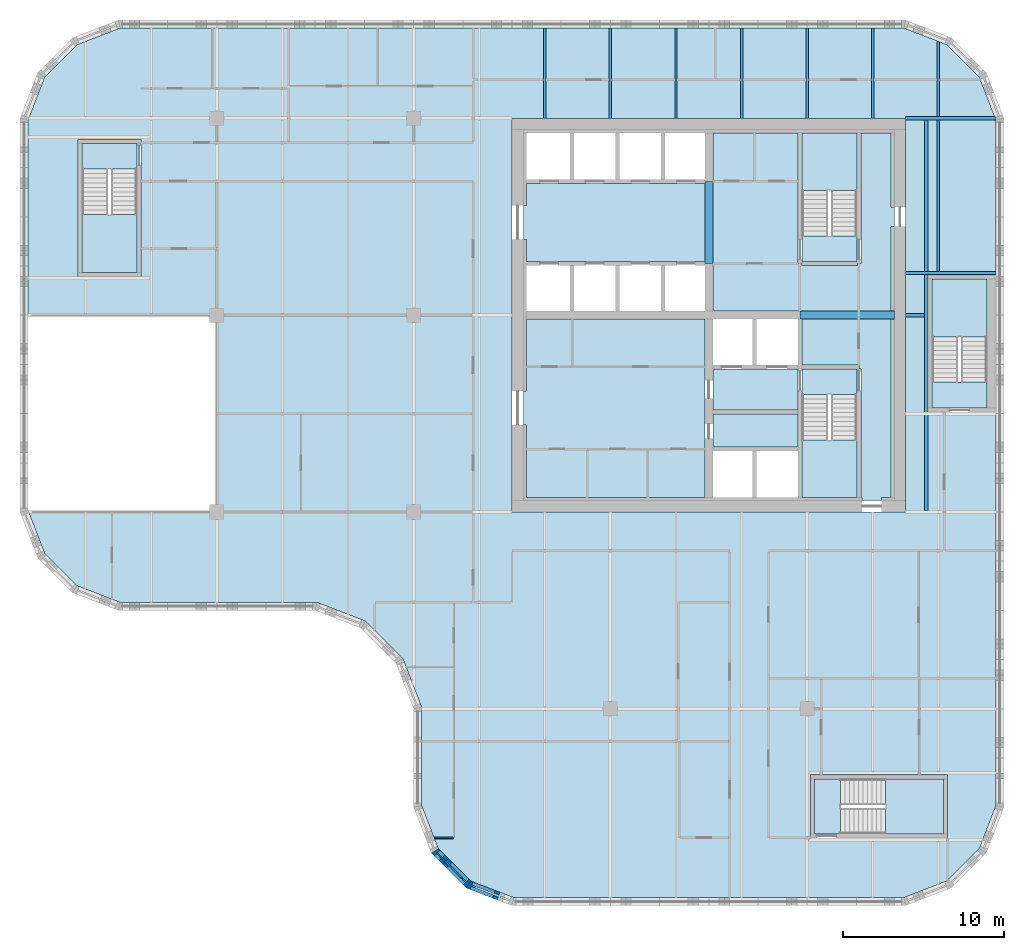
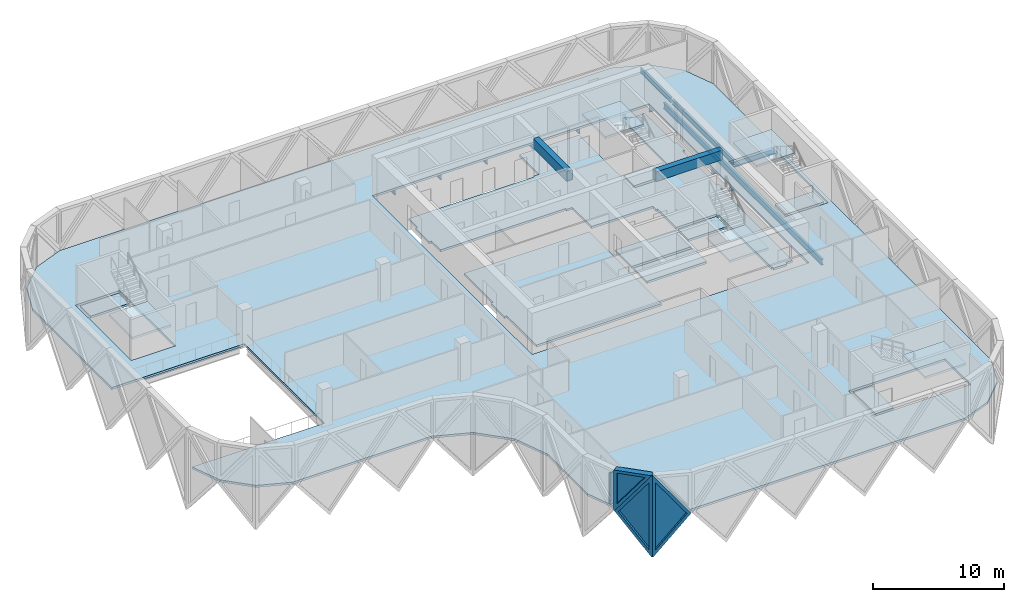
# One storey, part 2 of 15: 15 slabs, 14 beams, 4 walls, 3 plates, 3 openings, 5 elements without a shape of their own.
"""IFC4 building model written with IfcOpenShell, lengths in metres."""

from ifc_helpers import new_model, si_unit, direction, frame, frame_2d, origin, origin_2d, place, context, subcontext, project, spatial, polyline, rectangle, i_section, outline, extrude, faceted_brep, source, transform, mapped, material, layer, layer_set, material_profile, profile_set, type_object, element, fill, aggregate, save


model = new_model("IFC4")

# Units and contexts
model_context = context("Model", 3, precision=1e-05, world=origin(), true_north=direction((0.0, 1.0)))
body_context = subcontext(model_context, "Body", "Model", "MODEL_VIEW")
ifc_project = project(units=[si_unit("LENGTHUNIT", "METRE"), si_unit("AREAUNIT", "SQUARE_METRE"), si_unit("VOLUMEUNIT", "CUBIC_METRE"), si_unit("PLANEANGLEUNIT", "RADIAN"), si_unit("MASSUNIT", "GRAM", prefix="KILO")], contexts=[model_context])

# Site, building, storey
site_placement = place(None, origin())
site = spatial("IfcSite", under=ifc_project, at=site_placement, CompositionType="ELEMENT")
building_placement = place(site_placement, origin())
building = spatial("IfcBuilding", under=site, at=building_placement, Name="Tessera Gate Towers", CompositionType="ELEMENT")
storey_placement = place(building_placement, frame((0.0, 0.0, 146.800048828125)))
storey = spatial("IfcBuildingStorey", under=building, at=storey_placement, Name="L36", CompositionType="ELEMENT", Elevation=146.800048828125)

# Beams
ifc_material_1 = material(Name="Concrete C60/75", Category="concrete")
ifc_material_profile_1 = material_profile(ifc_material_1, rectangle(XDim=0.5, YDim=0.89990234375, at=origin_2d()), Name="RC 500x900")
ifc_profile_set_1 = profile_set([ifc_material_profile_1], Name="Concrete C60/75")
beam_type_1 = type_object("IfcBeamType", Name="COUPLING BEAM 500x900 C60/75", PredefinedType="BEAM", material=ifc_profile_set_1)
beam_1_placement = place(storey_placement, frame((48.35009765625, 36.60009765625, 3.050048828125), z_axis=(1.0, 0.0, 0.0), x_axis=(0.0, 1.0, 0.0)))
element("IfcBeam", 1, at=beam_1_placement, inside=storey, type_object=beam_type_1, Name="L36 coupling beam 1", PredefinedType="BEAM", context=body_context, shape_type="SweptSolid", body=[
    extrude(rectangle(XDim=0.5, YDim=0.89990234375, at=origin_2d()), origin(), (0.0, 0.0, 1.0), 5.849853515625),
])
beam_2_placement = place(storey_placement, frame((42.699951171875, 39.800048828125, 3.050048828125), z_axis=(0.0, 1.0, 0.0), x_axis=(-1.0, 0.0, 0.0)))
element("IfcBeam", 2, at=beam_2_placement, inside=storey, type_object=beam_type_1, Name="L36 coupling beam 2", PredefinedType="BEAM", context=body_context, shape_type="SweptSolid", body=[
    extrude(rectangle(XDim=0.5, YDim=0.89990234375, at=origin_2d()), origin(), (0.0, 0.0, 1.0), 5.099853515625),
])
ifc_material_2 = material(Name="Steel 350W", Category="steel")
ifc_material_profile_2 = material_profile(ifc_material_2, i_section(OverallWidth=0.208984375, OverallDepth=0.532958984375, WebThickness=0.01025390625, FlangeThickness=0.015625, at=origin_2d()), Name="W530x92")
ifc_profile_set_2 = profile_set([ifc_material_profile_2], Name="Steel 350W")
beam_type_2 = type_object("IfcBeamType", Name="FLOOR GIRDER W530x92", PredefinedType="BEAM", material=ifc_profile_set_2)
beam_3_placement = place(storey_placement, frame((54.89892578125, 36.60009765625, -0.466552734375), z_axis=(1.0, 0.0, 0.0), x_axis=(0.0, 1.0, 0.0)))
element("IfcBeam", 3, at=beam_3_placement, inside=storey, type_object=beam_type_2, Name="T1-GD-L36-4232", PredefinedType="BEAM", context=body_context, shape_type="SweptSolid", body=[
    extrude(i_section(OverallWidth=0.208984375, OverallDepth=0.532958984375, WebThickness=0.01025390625, FlangeThickness=0.015625, at=origin_2d()), origin(), (0.0, 0.0, 1.0), 1.176513671875),
])
beam_4_placement = place(storey_placement, frame((54.90087890625, 48.800048828125, -0.466552734375), z_axis=(1.0, 0.0, 0.0), x_axis=(0.0, 1.0, 0.0)))
element("IfcBeam", 4, at=beam_4_placement, inside=storey, type_object=beam_type_2, Name="T1-GD-L36-4236", PredefinedType="BEAM", context=body_context, shape_type="SweptSolid", body=[
    extrude(i_section(OverallWidth=0.208984375, OverallDepth=0.532958984375, WebThickness=0.01025390625, FlangeThickness=0.015625, at=origin_2d()), origin(), (0.0, 0.0, 1.0), 5.564208984375),
])
beam_5_placement = place(storey_placement, frame((54.89892578125, 39.219970703125, -0.466552734375), z_axis=(1.0, 0.0, 0.0), x_axis=(0.0, 1.0, 0.0)))
element("IfcBeam", 5, at=beam_5_placement, inside=storey, type_object=beam_type_2, Name="T1-GD-L36-4254", PredefinedType="BEAM", context=body_context, shape_type="SweptSolid", body=[
    extrude(i_section(OverallWidth=0.208984375, OverallDepth=0.532958984375, WebThickness=0.01025390625, FlangeThickness=0.015625, at=origin_2d()), origin(), (0.0, 0.0, 1.0), 5.60205078125),
])
beam_6_placement = place(storey_placement, frame((56.179931640625, 24.50439453125, -0.466552734375), z_axis=(0.0, 1.0, 0.0), x_axis=(-1.0, 0.0, 0.0)))
element("IfcBeam", 6, at=beam_6_placement, inside=storey, type_object=beam_type_2, Name="T1-GD-L36-4255", PredefinedType="BEAM", context=body_context, shape_type="SweptSolid", body=[
    extrude(i_section(OverallWidth=0.208984375, OverallDepth=0.532958984375, WebThickness=0.01025390625, FlangeThickness=0.015625, at=origin_2d()), origin(), (0.0, 0.0, 1.0), 24.191162109375),
])
ifc_material_3 = material(Name="Steel 350W", Category="steel")
ifc_material_profile_3 = material_profile(ifc_material_3, i_section(OverallWidth=0.153076171875, OverallDepth=0.455078125, WebThickness=0.008056640625, FlangeThickness=0.01318359375, at=origin_2d()), Name="W460x60")
ifc_profile_set_3 = profile_set([ifc_material_profile_3], Name="Steel 350W")
beam_type_3 = type_object("IfcBeamType", Name="FLOOR SECONDARY W460x60", PredefinedType="BEAM", material=ifc_profile_set_3)
for number, where, z_axis, x_axis, name in (
    (7, (32.533203125, 48.800048828125, -0.427490234375), (0.0, 1.0, 0.0), (-1.0, 0.0, 0.0), "T1-BM-L36-4277"),
    (8, (36.60009765625, 48.800048828125, -0.427490234375), (0.0, 1.0, 0.0), (-1.0, 0.0, 0.0), "T1-BM-L36-4278"),
    (9, (40.666748046875, 48.800048828125, -0.427490234375), (0.0, 1.0, 0.0), (-1.0, 0.0, 0.0), "T1-BM-L36-4281"),
    (10, (44.7333984375, 48.800048828125, -0.427490234375), (0.0, 1.0, 0.0), (-1.0, 0.0, 0.0), "T1-BM-L36-4284"),
    (11, (48.800048828125, 48.800048828125, -0.427490234375), (0.0, 1.0, 0.0), (-1.0, 0.0, 0.0), "T1-BM-L36-4285"),
    (12, (52.86669921875, 48.800048828125, -0.427490234375), (0.0, 1.0, 0.0), (-1.0, 0.0, 0.0), "T1-BM-L36-4289"),
):
    element("IfcBeam", number, at=place(storey_placement, frame(where, z_axis=z_axis, x_axis=x_axis)), inside=storey, type_object=beam_type_3, Name=name, PredefinedType="BEAM", context=body_context, shape_type="SweptSolid", body=[
        extrude(i_section(OverallWidth=0.153076171875, OverallDepth=0.455078125, WebThickness=0.008056640625, FlangeThickness=0.01318359375, at=origin_2d()), origin(), (0.0, 0.0, 1.0), 5.599853515625),
    ])
beam_7_placement = place(storey_placement, frame((56.933349609375, 39.324462890625, -0.427490234375), z_axis=(0.0, 1.0, 0.0), x_axis=(-1.0, 0.0, 0.0)))
element("IfcBeam", 13, at=beam_7_placement, inside=storey, type_object=beam_type_3, Name="T1-BM-L36-4294", PredefinedType="BEAM", context=body_context, shape_type="SweptSolid", body=[
    extrude(i_section(OverallWidth=0.153076171875, OverallDepth=0.455078125, WebThickness=0.008056640625, FlangeThickness=0.01318359375, at=origin_2d()), origin(), (0.0, 0.0, 1.0), 9.37109375),
])
beam_8_placement = place(storey_placement, frame((56.933349609375, 48.904541015625, -0.427490234375), z_axis=(0.0, 1.0, 0.0), x_axis=(-1.0, 0.0, 0.0)))
element("IfcBeam", 14, at=beam_8_placement, inside=storey, type_object=beam_type_3, Name="T1-BM-L36-4295", PredefinedType="BEAM", context=body_context, shape_type="SweptSolid", body=[
    extrude(i_section(OverallWidth=0.153076171875, OverallDepth=0.455078125, WebThickness=0.008056640625, FlangeThickness=0.01318359375, at=origin_2d()), origin(), (0.0, 0.0, 1.0), 4.675048828125),
])

# Slabs
ifc_material_4 = material(Name="Concrete C35/45", Category="concrete")
ifc_layer_1 = layer(ifc_material_4, 0.199951171875)
ifc_layer_set_1 = layer_set([ifc_layer_1], Name="COMPOSITE FLOOR 200")
slab_type_1 = type_object("IfcSlabType", Name="COMPOSITE FLOOR 200", PredefinedType="FLOOR", material=ifc_layer_set_1)
slab_1_placement = place(storey_placement, frame((0.0, 0.0, -0.199951171875)))
element("IfcSlab", 15, at=slab_1_placement, inside=storey, type_object=slab_type_1, Name="T1-L36", PredefinedType="FLOOR", context=body_context, shape_type="SweptSolid", body=[
    extrude(outline(polyline([(0.5, 36.60009765625), (12.199951171875, 36.60009765625), (12.199951171875, 24.39990234375), (0.535888671875, 24.39990234375), (1.526123046875, 21.8330078125), (3.533203125, 19.826171875), (6.193115234375, 18.800048828125), (18.39306640625, 18.800048828125), (21.42431640625, 17.630615234375), (23.730712890625, 15.32421875), (24.89990234375, 12.293212890625), (24.89990234375, 6.193115234375), (25.926025390625, 3.533203125), (27.93310546875, 1.526123046875), (30.593017578125, 0.5), (54.806884765625, 0.5), (57.466796875, 1.526123046875), (59.473876953125, 3.533203125), (60.5, 6.193115234375), (60.5, 48.706787109375), (59.473876953125, 51.366943359375), (57.466796875, 53.373779296875), (54.806884765625, 54.39990234375), (6.193115234375, 54.39990234375), (3.533203125, 53.373779296875), (1.526123046875, 51.366943359375), (0.5, 48.706787109375), (0.5, 36.60009765625)]), holes=[polyline([(3.60009765625, 39.0), (3.60009765625, 47.5), (7.5, 47.5), (7.5, 39.0), (3.60009765625, 39.0)]), polyline([(30.5, 24.39990234375), (30.5, 48.800048828125), (54.89990234375, 48.800048828125), (54.89990234375, 24.39990234375), (30.5, 24.39990234375)]), polyline([(49.0, 4.199951171875), (49.0, 8.10009765625), (57.5, 8.10009765625), (57.5, 4.199951171875), (49.0, 4.199951171875)]), polyline([(56.300048828125, 30.60009765625), (56.300048828125, 39.10009765625), (60.199951171875, 39.10009765625), (60.199951171875, 30.60009765625), (56.300048828125, 30.60009765625)])]), origin(), (0.0, 0.0, 1.0), 0.199951171875),
])
ifc_material_5 = material(Name="Concrete C35/45", Category="concrete")
ifc_layer_2 = layer(ifc_material_5, 0.199951171875)
ifc_layer_set_2 = layer_set([ifc_layer_2], Name="CORE FLOOR SLAB 200")
slab_type_2 = type_object("IfcSlabType", Name="CORE FLOOR SLAB 200", PredefinedType="FLOOR", material=ifc_layer_set_2)
slab_2_placement = place(storey_placement, frame((0.0, 0.0, -0.199951171875)))
element("IfcSlab", 16, at=slab_2_placement, inside=storey, type_object=slab_type_2, Name="L36 core floor slab", PredefinedType="FLOOR", context=body_context, shape_type="SweptSolid", body=[
    extrude(outline(polyline([(42.449951171875, 44.89990234375), (42.449951171875, 44.77490234375), (31.39990234375, 44.77490234375), (31.39990234375, 43.39990234375), (31.199951171875, 43.39990234375), (31.199951171875, 41.300048828125), (31.39990234375, 41.300048828125), (31.39990234375, 39.925048828125), (42.449951171875, 39.925048828125), (42.449951171875, 39.800048828125), (42.949951171875, 39.800048828125), (42.949951171875, 36.85009765625), (48.35009765625, 36.85009765625), (48.35009765625, 36.35009765625), (48.47509765625, 36.35009765625), (48.47509765625, 33.52490234375), (52.0, 33.52490234375), (52.0, 33.27490234375), (52.125, 33.27490234375), (52.125, 25.300048828125), (52.199951171875, 25.300048828125), (52.199951171875, 25.10009765625), (53.39990234375, 25.10009765625), (53.39990234375, 25.300048828125), (54.0, 25.300048828125), (54.0, 36.320068359375), (54.199951171875, 36.320068359375), (54.199951171875, 36.8798828125), (54.0, 36.8798828125), (54.0, 42.10009765625), (54.199951171875, 42.10009765625), (54.199951171875, 43.300048828125), (54.0, 43.300048828125), (54.0, 47.89990234375), (52.125, 47.89990234375), (52.125, 39.800048828125), (51.875, 39.800048828125), (51.875, 39.675048828125), (48.47509765625, 39.675048828125), (48.47509765625, 39.800048828125), (48.22509765625, 39.800048828125), (48.22509765625, 47.89990234375), (42.949951171875, 47.89990234375), (42.949951171875, 44.89990234375), (42.449951171875, 44.89990234375)])), origin(), (0.0, 0.0, 1.0), 0.199951171875),
])
slab_3_placement = place(storey_placement, frame((0.0, 0.0, -0.199951171875)))
element("IfcSlab", 17, at=slab_3_placement, inside=storey, type_object=slab_type_2, Name="L36 core floor slab", PredefinedType="FLOOR", context=body_context, shape_type="SweptSolid", body=[
    extrude(outline(polyline([(31.39990234375, 36.35009765625), (31.39990234375, 31.89990234375), (31.199951171875, 31.89990234375), (31.199951171875, 29.800048828125), (31.39990234375, 29.800048828125), (31.39990234375, 25.300048828125), (42.449951171875, 25.300048828125), (42.449951171875, 36.35009765625), (31.39990234375, 36.35009765625)])), origin(), (0.0, 0.0, 1.0), 0.199951171875),
])
slab_4_placement = place(storey_placement, frame((0.0, 0.0, -0.199951171875)))
element("IfcSlab", 18, at=slab_4_placement, inside=storey, type_object=slab_type_2, Name="L36 core floor slab", PredefinedType="FLOOR", context=body_context, shape_type="SweptSolid", body=[
    extrude(outline(polyline([(42.949951171875, 33.27490234375), (42.949951171875, 30.72509765625), (48.22509765625, 30.72509765625), (48.22509765625, 33.27490234375), (42.949951171875, 33.27490234375)])), origin(), (0.0, 0.0, 1.0), 0.199951171875),
])
slab_5_placement = place(storey_placement, frame((0.0, 0.0, -0.199951171875)))
element("IfcSlab", 19, at=slab_5_placement, inside=storey, type_object=slab_type_2, Name="L36 core floor slab", PredefinedType="FLOOR", context=body_context, shape_type="SweptSolid", body=[
    extrude(outline(polyline([(48.22509765625, 30.47509765625), (42.949951171875, 30.47509765625), (42.949951171875, 28.425048828125), (48.22509765625, 28.425048828125), (48.22509765625, 30.47509765625)])), origin(), (0.0, 0.0, 1.0), 0.199951171875),
])
slab_6_placement = place(storey_placement, frame((0.0, 0.0, -0.199951171875)))
element("IfcSlab", 20, at=slab_6_placement, inside=storey, type_object=slab_type_2, Name="L36 core floor slab", PredefinedType="FLOOR", context=body_context, shape_type="SweptSolid", body=[
    extrude(outline(polyline([(51.875, 31.675048828125), (51.875, 33.27490234375), (48.47509765625, 33.27490234375), (48.47509765625, 31.675048828125), (51.875, 31.675048828125)])), origin(), (0.0, 0.0, 1.0), 0.199951171875),
])
slab_7_placement = place(storey_placement, frame((0.0, 0.0, -0.199951171875)))
element("IfcSlab", 21, at=slab_7_placement, inside=storey, type_object=slab_type_2, Name="L36 core floor slab", PredefinedType="FLOOR", context=body_context, shape_type="SweptSolid", body=[
    extrude(outline(polyline([(48.47509765625, 41.52490234375), (48.47509765625, 39.925048828125), (51.875, 39.925048828125), (51.875, 41.52490234375), (48.47509765625, 41.52490234375)])), origin(), (0.0, 0.0, 1.0), 0.199951171875),
])
slab_8_placement = place(storey_placement, frame((0.0, 0.0, -0.199951171875)))
element("IfcSlab", 22, at=slab_8_placement, inside=storey, type_object=slab_type_2, Name="L36 ST3 floor landing", PredefinedType="FLOOR", context=body_context, shape_type="SweptSolid", body=[
    extrude(outline(polyline([(3.85009765625, 47.25), (3.85009765625, 45.64990234375), (7.25, 45.64990234375), (7.25, 47.25), (3.85009765625, 47.25)])), origin(), (0.0, 0.0, 1.0), 0.199951171875),
])
slab_9_placement = place(storey_placement, frame((0.0, 0.0, -0.199951171875)))
element("IfcSlab", 23, at=slab_9_placement, inside=storey, type_object=slab_type_2, Name="L36 ST4 floor landing", PredefinedType="FLOOR", context=body_context, shape_type="SweptSolid", body=[
    extrude(outline(polyline([(49.25, 4.449951171875), (50.85009765625, 4.449951171875), (50.85009765625, 7.85009765625), (49.25, 7.85009765625), (49.25, 4.449951171875)])), origin(), (0.0, 0.0, 1.0), 0.199951171875),
])
slab_10_placement = place(storey_placement, frame((0.0, 0.0, -0.199951171875)))
element("IfcSlab", 24, at=slab_10_placement, inside=storey, type_object=slab_type_2, Name="L36 ST5 floor landing", PredefinedType="FLOOR", context=body_context, shape_type="SweptSolid", body=[
    extrude(outline(polyline([(59.949951171875, 30.85009765625), (59.949951171875, 32.449951171875), (56.550048828125, 32.449951171875), (56.550048828125, 30.85009765625), (59.949951171875, 30.85009765625)])), origin(), (0.0, 0.0, 1.0), 0.199951171875),
])

# Stair, slab
ifc_material_6 = material(Name="Concrete C40/50", Category="concrete")
stair_type_1 = type_object("IfcStairType", Name="EXIT STAIR ST1 1600", PredefinedType="HALF_TURN_STAIR", material=ifc_material_6)
stair_1_placement = place(storey_placement, origin())
stair_1 = element("IfcStair", 25, at=stair_1_placement, inside=storey, type_object=stair_type_1, Name="L36 Protected Exit Stair ST1", PredefinedType="HALF_TURN_STAIR")
ifc_material_7 = material(Name="Concrete C40/50", Category="concrete")
ifc_layer_3 = layer(ifc_material_7, 0.199951171875)
ifc_layer_set_3 = layer_set([ifc_layer_3], Name="EXIT STAIR LANDING 200")
slab_type_3 = type_object("IfcSlabType", Name="EXIT STAIR LANDING 200", PredefinedType="LANDING", material=ifc_layer_set_3)
slab_11_placement = place(storey_placement, frame((0.0, 0.0, 1.699951171875)))
slab_11 = element("IfcSlab", 26, at=slab_11_placement, type_object=slab_type_3, Name="ST1 landing 1", PredefinedType="LANDING", context=body_context, shape_type="SweptSolid", body=[
    extrude(outline(polyline([(48.47509765625, 28.875), (48.47509765625, 25.300048828125), (51.875, 25.300048828125), (51.875, 28.875), (48.47509765625, 28.875)])), origin(), (0.0, 0.0, 1.0), 0.199951171875),
])
aggregate(stair_1, [slab_11])

ifc_material_8 = material(Name="Concrete C40/50", Category="concrete")
stair_type_2 = type_object("IfcStairType", Name="EXIT STAIR ST2 1600", PredefinedType="HALF_TURN_STAIR", material=ifc_material_8)
stair_2_placement = place(storey_placement, origin())
stair_2 = element("IfcStair", 27, at=stair_2_placement, inside=storey, type_object=stair_type_2, Name="L36 Protected Exit Stair ST2", PredefinedType="HALF_TURN_STAIR")
slab_12_placement = place(storey_placement, frame((0.0, 0.0, 1.699951171875)))
slab_12 = element("IfcSlab", 28, at=slab_12_placement, type_object=slab_type_3, Name="ST2 landing 1", PredefinedType="LANDING", context=body_context, shape_type="SweptSolid", body=[
    extrude(outline(polyline([(51.875, 44.324951171875), (51.875, 47.89990234375), (48.47509765625, 47.89990234375), (48.47509765625, 44.324951171875), (51.875, 44.324951171875)])), origin(), (0.0, 0.0, 1.0), 0.199951171875),
])
aggregate(stair_2, [slab_12])

ifc_material_9 = material(Name="Concrete C40/50", Category="concrete")
stair_type_3 = type_object("IfcStairType", Name="EXIT STAIR ST3 1600", PredefinedType="HALF_TURN_STAIR", material=ifc_material_9)
stair_3_placement = place(storey_placement, origin())
stair_3 = element("IfcStair", 29, at=stair_3_placement, inside=storey, type_object=stair_type_3, Name="L36 West Exit Stair ST3", PredefinedType="HALF_TURN_STAIR")
slab_13_placement = place(storey_placement, frame((0.0, 0.0, 1.699951171875)))
slab_13 = element("IfcSlab", 30, at=slab_13_placement, type_object=slab_type_3, Name="ST3 landing 1", PredefinedType="LANDING", context=body_context, shape_type="SweptSolid", body=[
    extrude(outline(polyline([(3.85009765625, 42.85009765625), (3.85009765625, 39.25), (7.25, 39.25), (7.25, 42.85009765625), (3.85009765625, 42.85009765625)])), origin(), (0.0, 0.0, 1.0), 0.199951171875),
])
aggregate(stair_3, [slab_13])

ifc_material_10 = material(Name="Concrete C40/50", Category="concrete")
stair_type_4 = type_object("IfcStairType", Name="EXIT STAIR ST4 1600", PredefinedType="HALF_TURN_STAIR", material=ifc_material_10)
stair_4_placement = place(storey_placement, origin())
stair_4 = element("IfcStair", 31, at=stair_4_placement, inside=storey, type_object=stair_type_4, Name="L36 South Exit Stair ST4", PredefinedType="HALF_TURN_STAIR")
slab_14_placement = place(storey_placement, frame((0.0, 0.0, 1.699951171875)))
slab_14 = element("IfcSlab", 32, at=slab_14_placement, type_object=slab_type_3, Name="ST4 landing 1", PredefinedType="LANDING", context=body_context, shape_type="SweptSolid", body=[
    extrude(outline(polyline([(53.64990234375, 4.449951171875), (57.25, 4.449951171875), (57.25, 7.85009765625), (53.64990234375, 7.85009765625), (53.64990234375, 4.449951171875)])), origin(), (0.0, 0.0, 1.0), 0.199951171875),
])
aggregate(stair_4, [slab_14])

ifc_material_11 = material(Name="Concrete C40/50", Category="concrete")
stair_type_5 = type_object("IfcStairType", Name="EXIT STAIR ST5 1600", PredefinedType="HALF_TURN_STAIR", material=ifc_material_11)
stair_5_placement = place(storey_placement, origin())
stair_5 = element("IfcStair", 33, at=stair_5_placement, inside=storey, type_object=stair_type_5, Name="L36 East Exit Stair ST5", PredefinedType="HALF_TURN_STAIR")
slab_15_placement = place(storey_placement, frame((0.0, 0.0, 1.699951171875)))
slab_15 = element("IfcSlab", 34, at=slab_15_placement, type_object=slab_type_3, Name="ST5 landing 1", PredefinedType="LANDING", context=body_context, shape_type="SweptSolid", body=[
    extrude(outline(polyline([(59.949951171875, 35.25), (59.949951171875, 38.85009765625), (56.550048828125, 38.85009765625), (56.550048828125, 35.25), (59.949951171875, 35.25)])), origin(), (0.0, 0.0, 1.0), 0.199951171875),
])
aggregate(stair_5, [slab_15])

# Wall
ifc_material_12 = material(Name="Gypsum board on steel studs", Category="steel")
ifc_layer_4 = layer(ifc_material_12, 0.10009765625)
ifc_layer_set_4 = layer_set([ifc_layer_4], Name="PARTITION 100")
wall_type_1 = type_object("IfcWallType", Name="PARTITION 100", PredefinedType="PARTITIONING", material=ifc_layer_set_4)
wall_1_placement = place(storey_placement, frame((25.668701171875, 4.199951171875, 0.0), z_axis=(0.0, 0.0, 1.0), x_axis=(1.0, 0.0, 0.0)))
element("IfcWall", 35, at=wall_1_placement, inside=storey, type_object=wall_type_1, Name="T1-L36-PW-003", PredefinedType="PARTITIONING", context=body_context, shape_type="SweptSolid", body=[
    extrude(rectangle(XDim=1.180419921875, YDim=0.10009765625, at=frame_2d((0.59033203125, 0.0))), origin(), (0.0, 0.0, 1.0), 2.887939453125),
])

# Wall, opening, plate
ifc_material_13 = material(Name="Precast concrete C60/75 white", Category="concrete")
ifc_layer_5 = layer(ifc_material_13, 0.5)
ifc_layer_set_5 = layer_set([ifc_layer_5], Name="TS3 corner tessera")
wall_type_2 = type_object("IfcWallType", Name="TS3 corner tessera", PredefinedType="SOLIDWALL", material=ifc_layer_set_5)
shared_shape_1 = source(origin(), body_context, "Body", "Brep", [
    faceted_brep([(0.052978515625, -0.25, 0.0), (3.00341796875, -0.25, 3.800048828125), (0.052978515625, -0.25, 7.60009765625), (0.0, -0.25, 7.53173828125), (0.0, -0.25, 0.068359375), (0.10595703125, 0.25, 7.531982421875), (2.95703125, 0.25, 3.85986328125), (2.95703125, 0.25, 3.740234375), (0.10595703125, 0.25, 0.068115234375), (3.00341796875, 0.00048828125, 3.800048828125), (0.052978515625, 0.0, 0.0), (0.052978515625, 0.0, 7.60009765625)], [[[0, 1, 2, 3, 4]], [[5, 6, 7, 8]], [[8, 7, 9, 1, 0, 10]], [[6, 5, 11, 2, 1, 9]], [[3, 2, 11]], [[10, 0, 4]], [[8, 10, 4, 3, 11, 5]], [[9, 7, 6]]]),
])
wall_2_placement = place(storey_placement, frame((27.744384765625, 1.3310546875, -3.800048828125), z_axis=(0.0, 0.0, 1.0), x_axis=(0.932970071518, -0.359953949349, 0.0)))
wall_2 = element("IfcWall", 36, at=wall_2_placement, inside=storey, type_object=wall_type_2, Name="Precast corner tessera T1 TS3-0840", PredefinedType="SOLIDWALL", context=body_context, shape_type="MappedRepresentation", body=[
    mapped(shared_shape_1, transform((0.0, 0.0, 0.0), scale=1.0)),
])
shared_shape_2 = source(origin(), body_context, "Body", "SweptSolid", [
    extrude(outline(polyline([(0.2529296875, 0.665283203125), (2.68701171875, 3.800048828125), (0.2529296875, 6.934814453125), (0.2529296875, 0.665283203125)])), frame((0.0, 0.260009765625, 0.0), z_axis=(0.0, -1.0, 0.0), x_axis=(1.0, 0.0, 0.0)), (0.0, 0.0, 1.0), 0.52001953125),
])
opening_1_placement = place(wall_2_placement, origin())
opening_1 = element("IfcOpeningElement", 37, at=opening_1_placement, cuts=wall_2, Name="Opening T1-PL2-1315", PredefinedType="OPENING", context=body_context, shape_type="MappedRepresentation", body=[
    mapped(shared_shape_2, transform((0.0, 0.0, 0.0), scale=1.0)),
])
ifc_material_14 = material(Name="Low-e laminated glass", Category="glass")
ifc_layer_6 = layer(ifc_material_14, 0.06005859375)
ifc_layer_set_6 = layer_set([ifc_layer_6], Name="PL2 rhombic pane")
plate_type_1 = type_object("IfcPlateType", Name="PL2 rhombic pane", PredefinedType="SHEET", material=ifc_layer_set_6)
shared_shape_3 = source(origin(), body_context, "Body", "SweptSolid", [
    extrude(outline(polyline([(0.2529296875, 0.665283203125), (2.68701171875, 3.800048828125), (0.2529296875, 6.934814453125), (0.2529296875, 0.665283203125)])), frame((0.0, 0.030029296875, 0.0), z_axis=(0.0, -1.0, 0.0), x_axis=(1.0, 0.0, 0.0)), (0.0, 0.0, 1.0), 0.06005859375),
])
plate_1_placement = place(opening_1_placement, origin())
plate_1 = element("IfcPlate", 38, at=plate_1_placement, inside=storey, type_object=plate_type_1, Name="Glass pane T1 PL2-1315", PredefinedType="SHEET", context=body_context, shape_type="MappedRepresentation", body=[
    mapped(shared_shape_3, transform((0.0, 0.0, 0.0), scale=1.0)),
])
fill(opening_1, plate_1)

shared_shape_4 = source(origin(), body_context, "Body", "Brep", [
    faceted_brep([(2.944091796875, -0.25, 0.0), (2.9970703125, -0.25, 0.068115234375), (2.9970703125, -0.25, 7.531982421875), (2.944091796875, -0.25, 7.60009765625), (0.0, -0.25, 3.800048828125), (0.052978515625, 0.25, 3.868408203125), (2.89111328125, 0.25, 7.531982421875), (2.89111328125, 0.25, 0.068115234375), (0.052978515625, 0.25, 3.731689453125), (2.944091796875, 0.000244140625, 0.0), (2.944091796875, 0.000244140625, 7.60009765625), (0.0, 0.0, 3.800048828125)], [[[0, 1, 2, 3, 4]], [[5, 6, 7, 8]], [[1, 0, 9]], [[10, 3, 2]], [[6, 5, 11, 4, 3, 10]], [[8, 7, 9, 0, 4, 11]], [[8, 11, 5]], [[1, 9, 7, 6, 10, 2]]]),
])
wall_3_placement = place(storey_placement, frame((25.7119140625, 3.393798828125, -3.800048828125), z_axis=(0.0, 0.0, 1.0), x_axis=(0.707066050402, -0.707147509625, 0.0)))
wall_3 = element("IfcWall", 39, at=wall_3_placement, inside=storey, type_object=wall_type_2, Name="Precast corner tessera T1 TS3-0839", PredefinedType="SOLIDWALL", context=body_context, shape_type="MappedRepresentation", body=[
    mapped(shared_shape_4, transform((0.0, 0.0, 0.0), scale=1.0)),
])
shared_shape_5 = source(origin(), body_context, "Body", "SweptSolid", [
    extrude(outline(polyline([(2.744140625, 6.93359375), (0.316162109375, 3.800048828125), (2.744140625, 0.666259765625), (2.744140625, 6.93359375)])), frame((0.0, 0.260009765625, 0.0), z_axis=(0.0, -1.0, 0.0), x_axis=(1.0, 0.0, 0.0)), (0.0, 0.0, 1.0), 0.52001953125),
])
opening_2_placement = place(wall_3_placement, origin())
opening_2 = element("IfcOpeningElement", 40, at=opening_2_placement, cuts=wall_3, Name="Opening T1-PL2-1314", PredefinedType="OPENING", context=body_context, shape_type="MappedRepresentation", body=[
    mapped(shared_shape_5, transform((0.0, 0.0, 0.0), scale=1.0)),
])
shared_shape_6 = source(origin(), body_context, "Body", "SweptSolid", [
    extrude(outline(polyline([(2.744140625, 6.93359375), (0.316162109375, 3.800048828125), (2.744140625, 0.666259765625), (2.744140625, 6.93359375)])), frame((0.0, 0.030029296875, 0.0), z_axis=(0.0, -1.0, 0.0), x_axis=(1.0, 0.0, 0.0)), (0.0, 0.0, 1.0), 0.06005859375),
])
plate_2_placement = place(opening_2_placement, origin())
plate_2 = element("IfcPlate", 41, at=plate_2_placement, inside=storey, type_object=plate_type_1, Name="Glass pane T1 PL2-1314", PredefinedType="SHEET", context=body_context, shape_type="MappedRepresentation", body=[
    mapped(shared_shape_6, transform((0.0, 0.0, 0.0), scale=1.0)),
])
fill(opening_2, plate_2)

shared_shape_7 = source(origin(), body_context, "Body", "Brep", [
    faceted_brep([(0.052978515625, -0.25, 0.0), (2.9970703125, -0.25, 3.800048828125), (0.0, -0.25, 3.800048828125), (0.0, -0.25, 0.068115234375), (0.10595703125, 0.25, 3.800048828125), (2.944091796875, 0.25, 3.800048828125), (2.944091796875, 0.25, 3.73193359375), (0.10595703125, 0.25, 0.068359375), (2.9970703125, 0.000244140625, 3.800048828125), (0.052978515625, 0.0, 0.0)], [[[0, 1, 2, 3]], [[4, 5, 6, 7]], [[7, 6, 8, 1, 0, 9]], [[5, 4, 2, 1, 8]], [[9, 0, 3]], [[7, 9, 3, 2, 4]], [[6, 5, 8]]]),
])
wall_4_placement = place(storey_placement, frame((25.674560546875, 3.43115234375, 0.0), z_axis=(0.0, 0.0, 1.0), x_axis=(0.707106781187, -0.707106781187, 0.0)))
wall_4 = element("IfcWall", 42, at=wall_4_placement, inside=storey, type_object=wall_type_2, Name="Precast corner tessera T1 TS3-0864", PredefinedType="SOLIDWALL", context=body_context, shape_type="MappedRepresentation", body=[
    mapped(shared_shape_7, transform((0.0, 0.0, 0.0), scale=1.0)),
])
shared_shape_8 = source(origin(), body_context, "Body", "SweptSolid", [
    extrude(outline(polyline([(0.2529296875, 0.666259765625), (2.487060546875, 3.550048828125), (0.2529296875, 3.550048828125), (0.2529296875, 0.666259765625)])), frame((0.0, 0.260009765625, 0.0), z_axis=(0.0, -1.0, 0.0), x_axis=(1.0, 0.0, 0.0)), (0.0, 0.0, 1.0), 0.52001953125),
])
opening_3_placement = place(wall_4_placement, origin())
opening_3 = element("IfcOpeningElement", 43, at=opening_3_placement, cuts=wall_4, Name="Opening T1-PL1-0375", PredefinedType="OPENING", context=body_context, shape_type="MappedRepresentation", body=[
    mapped(shared_shape_8, transform((0.0, 0.0, 0.0), scale=1.0)),
])
ifc_material_15 = material(Name="Low-e laminated glass", Category="glass")
ifc_layer_7 = layer(ifc_material_15, 0.06005859375)
ifc_layer_set_7 = layer_set([ifc_layer_7], Name="PL1 triangular pane")
plate_type_2 = type_object("IfcPlateType", Name="PL1 triangular pane", PredefinedType="SHEET", material=ifc_layer_set_7)
shared_shape_9 = source(origin(), body_context, "Body", "SweptSolid", [
    extrude(outline(polyline([(0.2529296875, 0.666259765625), (2.487060546875, 3.550048828125), (0.2529296875, 3.550048828125), (0.2529296875, 0.666259765625)])), frame((0.0, 0.030029296875, 0.0), z_axis=(0.0, -1.0, 0.0), x_axis=(1.0, 0.0, 0.0)), (0.0, 0.0, 1.0), 0.06005859375),
])
plate_3_placement = place(opening_3_placement, origin())
plate_3 = element("IfcPlate", 44, at=plate_3_placement, inside=storey, type_object=plate_type_2, Name="Glass pane T1 PL1-0375", PredefinedType="SHEET", context=body_context, shape_type="MappedRepresentation", body=[
    mapped(shared_shape_9, transform((0.0, 0.0, 0.0), scale=1.0)),
])
fill(opening_3, plate_3)

save(model, "model.ifc")
